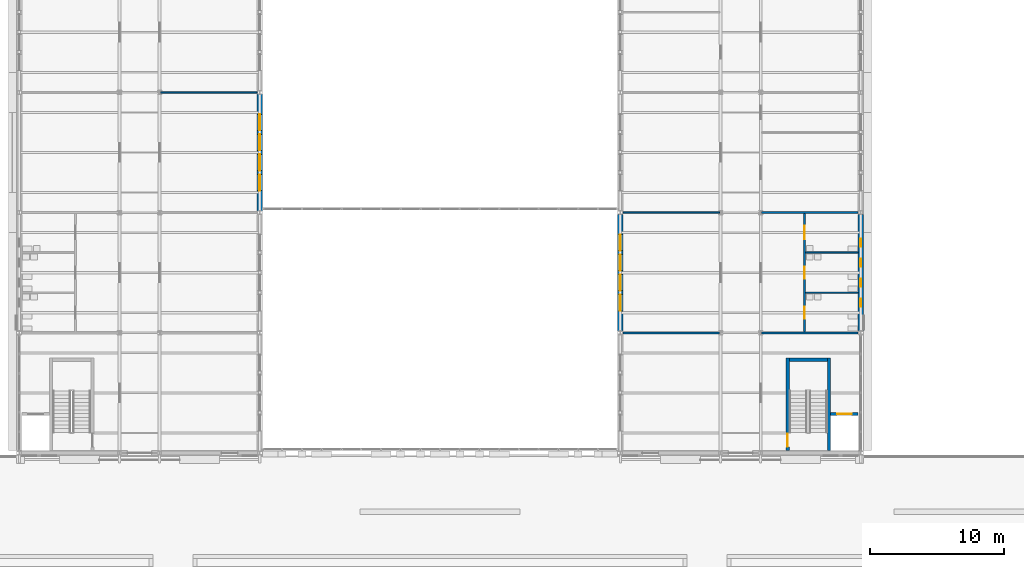
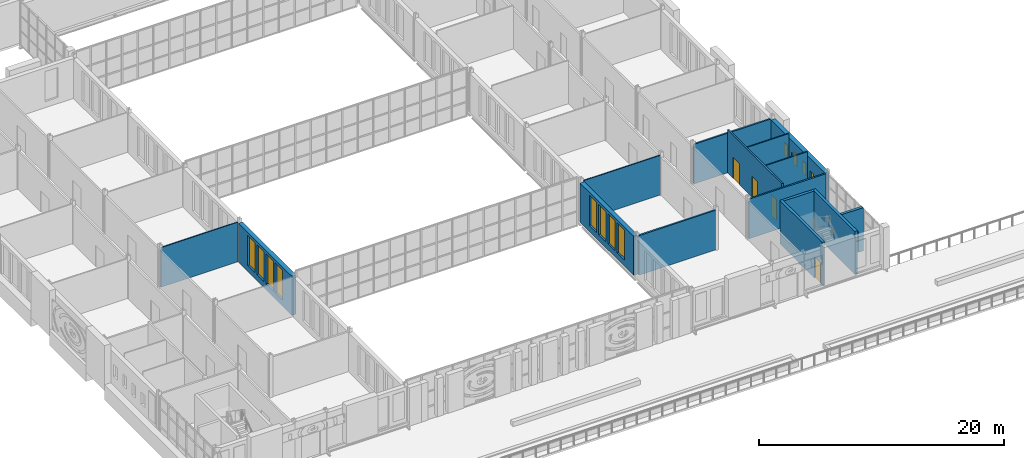
# One storey, part 75 of 134: 15 walls, 12 windows, 5 doors, 17 openings.
"""IFC4 building model written with IfcOpenShell, lengths in metres."""

from ifc_helpers import new_model, si_unit, direction, frame, frame_2d, origin, place, context, subcontext, project, spatial, rectangle, extrude, material, layer, layer_set, type_object, element, fill, save


model = new_model("IFC4")

# Units and contexts
model_context = context("Model", 3, precision=1e-05, world=origin(), true_north=direction((0.0, 1.0)))
body_context = subcontext(model_context, "Body", "Model", "MODEL_VIEW")
ifc_project = project(units=[si_unit("LENGTHUNIT", "METRE"), si_unit("AREAUNIT", "SQUARE_METRE"), si_unit("VOLUMEUNIT", "CUBIC_METRE"), si_unit("PLANEANGLEUNIT", "RADIAN"), si_unit("MASSUNIT", "GRAM", prefix="KILO")], contexts=[model_context])

# Site, building, storey
site_placement = place(None, origin())
site = spatial("IfcSite", under=ifc_project, at=site_placement, CompositionType="ELEMENT")
building_placement = place(site_placement, origin())
building = spatial("IfcBuilding", under=site, at=building_placement, Name="Golden Quay Civic Hall", CompositionType="ELEMENT")
storey_placement = place(building_placement, frame((0.0, 0.0, 5.39990234375)))
storey = spatial("IfcBuildingStorey", under=building, at=storey_placement, Name="L01", CompositionType="ELEMENT", Elevation=5.39990234375)

# Wall
ifc_material_1 = material(Name="Concrete C40/50", Category="concrete")
ifc_layer_1 = layer(ifc_material_1, 0.25)
ifc_layer_set_1 = layer_set([ifc_layer_1], Name="Concrete core wall 250, Concrete C40/50")
wall_type_1 = type_object("IfcWallType", Name="Concrete core wall 250", PredefinedType="SHEAR", material=ifc_layer_set_1)
wall_1_placement = place(storey_placement, frame((114.625, 0.199951171875, 0.0), z_axis=(0.0, 0.0, 1.0), x_axis=(0.0, 1.0, 0.0)))
element("IfcWall", 1, at=wall_1_placement, inside=storey, type_object=wall_type_1, Name="Core wall EM-S-W1", PredefinedType="SHEAR", context=body_context, shape_type="SweptSolid", body=[
    extrude(rectangle(XDim=6.900146484375, YDim=0.25, at=frame_2d((3.4501953125, 0.0))), origin(), (0.0, 0.0, 1.0), 4.300048828125),
])

# Wall, opening, door
wall_2_placement = place(storey_placement, frame((111.52490234375, 0.199951171875, 0.0), z_axis=(0.0, 0.0, 1.0), x_axis=(0.0, 1.0, 0.0)))
wall_2 = element("IfcWall", 2, at=wall_2_placement, inside=storey, type_object=wall_type_1, Name="Core wall EM-S-W2", PredefinedType="SHEAR", context=body_context, shape_type="SweptSolid", body=[
    extrude(rectangle(XDim=6.900146484375, YDim=0.25, at=frame_2d((3.4501953125, 0.0))), origin(), (0.0, 0.0, 1.0), 4.300048828125),
])
opening_1_placement = place(wall_2_placement, frame((0.25, 0.0, 0.0)))
opening_1 = element("IfcOpeningElement", 3, at=opening_1_placement, cuts=wall_2, Name="Opening L01-D125", PredefinedType="OPENING", context=body_context, shape_type="SweptSolid", body=[
    extrude(rectangle(XDim=1.0, YDim=2.10009765625, at=frame_2d((0.5, 1.050048828125))), frame((0.0, 0.135009765625, 0.0), z_axis=(0.0, -1.0, 0.0), x_axis=(1.0, 0.0, 0.0)), (0.0, 0.0, 1.0), 0.27001953125),
])
ifc_material_2 = material(Name="Steel", Category="steel")
door_type_1 = type_object("IfcDoorType", Name="Steel fire door FD60 1000 x 2100", OperationType="SINGLE_SWING_LEFT", PredefinedType="DOOR", material=ifc_material_2)
door_1_placement = place(opening_1_placement, frame((1.0, 0.0, 0.0), z_axis=(0.0, 0.0, 1.0), x_axis=(-1.0, 0.0, 0.0)))
door_1 = element("IfcDoor", 4, at=door_1_placement, inside=storey, type_object=door_type_1, Name="Door L01-D125", OperationType="SINGLE_SWING_RIGHT", OverallHeight=2.10009765625, OverallWidth=1.0, PredefinedType="DOOR", context=body_context, shape_type="SweptSolid", body=[
    extrude(rectangle(XDim=1.0, YDim=2.10009765625, at=frame_2d((0.5, 1.050048828125))), frame((0.0, 0.025146484375, 0.0), z_axis=(0.0, -1.0, 0.0), x_axis=(1.0, 0.0, 0.0)), (0.0, 0.0, 1.0), 0.050048828125),
])
fill(opening_1, door_1)

# Wall
wall_3_placement = place(storey_placement, frame((111.64990234375, 6.97509765625, 0.0), z_axis=(0.0, 0.0, 1.0), x_axis=(1.0, 0.0, 0.0)))
element("IfcWall", 5, at=wall_3_placement, inside=storey, type_object=wall_type_1, Name="Core wall EM-S-W3", PredefinedType="SHEAR", context=body_context, shape_type="SweptSolid", body=[
    extrude(rectangle(XDim=2.85009765625, YDim=0.25, at=frame_2d((1.425048828125, 0.0))), origin(), (0.0, 0.0, 1.0), 4.300048828125),
])

# Wall, opening, door
wall_4_placement = place(storey_placement, frame((114.75, 2.925048828125, 0.0), z_axis=(0.0, 0.0, 1.0), x_axis=(1.0, 0.0, 0.0)))
wall_4 = element("IfcWall", 6, at=wall_4_placement, inside=storey, type_object=wall_type_1, Name="Core wall EM-S-W4", PredefinedType="SHEAR", context=body_context, shape_type="SweptSolid", body=[
    extrude(rectangle(XDim=2.050048828125, YDim=0.25, at=frame_2d((1.02490234375, 0.0))), origin(), (0.0, 0.0, 1.0), 4.300048828125),
])
opening_2_placement = place(wall_4_placement, frame((0.47509765625, 0.0, 0.0)))
opening_2 = element("IfcOpeningElement", 7, at=opening_2_placement, cuts=wall_4, Name="Opening L01-D129", PredefinedType="OPENING", context=body_context, shape_type="SweptSolid", body=[
    extrude(rectangle(XDim=1.10009765625, YDim=2.10009765625, at=frame_2d((0.550048828125, 1.050048828125))), frame((0.0, 0.135009765625, 0.0), z_axis=(0.0, -1.0, 0.0), x_axis=(1.0, 0.0, 0.0)), (0.0, 0.0, 1.0), 0.27001953125),
])
ifc_material_3 = material(Name="Steel", Category="steel")
door_type_2 = type_object("IfcDoorType", Name="Lift landing door 1100 x 2100", OperationType="SLIDING_TO_LEFT", PredefinedType="DOOR", material=ifc_material_3)
door_2_placement = place(opening_2_placement, origin())
door_2 = element("IfcDoor", 8, at=door_2_placement, inside=storey, type_object=door_type_2, Name="Lift landing door L01-D129 EM-S", OperationType="SLIDING_TO_LEFT", OverallHeight=2.10009765625, OverallWidth=1.10009765625, PredefinedType="DOOR", context=body_context, shape_type="SweptSolid", body=[
    extrude(rectangle(XDim=1.10009765625, YDim=2.10009765625, at=frame_2d((0.550048828125, 1.050048828125))), frame((0.0, 0.02490234375, 0.0), z_axis=(0.0, -1.0, 0.0), x_axis=(1.0, 0.0, 0.0)), (0.0, 0.0, 1.0), 0.050048828125),
])
fill(opening_2, door_2)

# Walls
ifc_material_4 = material(Name="Plasterboard on steel studs", Category="steel")
ifc_layer_2 = layer(ifc_material_4, 0.10009765625)
ifc_layer_set_2 = layer_set([ifc_layer_2], Name="Partition 100 stud")
wall_type_2 = type_object("IfcWallType", Name="Partition 100 stud", PredefinedType="PARTITIONING", material=ifc_layer_set_2)
for number, where, z_axis, x_axis, name in (
    (9, (64.574951171875, 27.0, 0.0), (0.0, 0.0, 1.0), (1.0, 0.0, 0.0), "Partition L01-006"),
    (10, (99.199951171875, 18.0, 0.0), (0.0, 0.0, 1.0), (1.0, 0.0, 0.0), "Partition L01-007"),
):
    element("IfcWall", number, at=place(storey_placement, frame(where, z_axis=z_axis, x_axis=x_axis)), inside=storey, type_object=wall_type_2, Name=name, PredefinedType="PARTITIONING", context=body_context, shape_type="SweptSolid", body=[
        extrude(rectangle(XDim=7.22509765625, YDim=0.10009765625, at=frame_2d((3.612548828125, 0.0))), origin(), (0.0, 0.0, 1.0), 3.9501953125),
    ])
for number, where, z_axis, x_axis, name in (
    (11, (112.875, 12.0, 0.0), (0.0, 0.0, 1.0), (1.0, 0.0, 0.0), "Partition L01-017"),
    (12, (112.875, 15.0, 0.0), (0.0, 0.0, 1.0), (1.0, 0.0, 0.0), "Partition L01-018"),
):
    element("IfcWall", number, at=place(storey_placement, frame(where, z_axis=z_axis, x_axis=x_axis)), inside=storey, type_object=wall_type_2, Name=name, PredefinedType="PARTITIONING", context=body_context, shape_type="SweptSolid", body=[
        extrude(rectangle(XDim=3.925048828125, YDim=0.10009765625, at=frame_2d((1.96240234375, 0.0))), origin(), (0.0, 0.0, 1.0), 4.300048828125),
    ])
ifc_material_5 = material(Name="Plasterboard on steel studs", Category="steel")
ifc_layer_3 = layer(ifc_material_5, 0.14990234375)
ifc_layer_set_3 = layer_set([ifc_layer_3], Name="Partition 150 stud fire EI 60")
wall_type_3 = type_object("IfcWallType", Name="Partition 150 stud fire EI 60", PredefinedType="PARTITIONING", material=ifc_layer_set_3)
for number, where, z_axis, x_axis, name in (
    (13, (109.574951171875, 18.0, 0.0), (0.0, 0.0, 1.0), (1.0, 0.0, 0.0), "Partition L01-000"),
    (14, (99.199951171875, 9.0, 0.0), (0.0, 0.0, 1.0), (1.0, 0.0, 0.0), "Partition L01-006"),
    (15, (109.574951171875, 9.0, 0.0), (0.0, 0.0, 1.0), (1.0, 0.0, 0.0), "Partition L01-013"),
):
    element("IfcWall", number, at=place(storey_placement, frame(where, z_axis=z_axis, x_axis=x_axis)), inside=storey, type_object=wall_type_3, Name=name, PredefinedType="PARTITIONING", context=body_context, shape_type="SweptSolid", body=[
        extrude(rectangle(XDim=7.22509765625, YDim=0.14990234375, at=frame_2d((3.612548828125, 0.0))), origin(), (0.0, 0.0, 1.0), 3.9501953125),
    ])

# Wall, openings, doors
wall_5_placement = place(storey_placement, frame((112.800048828125, 9.074951171875, 0.0), z_axis=(0.0, 0.0, 1.0), x_axis=(0.0, 1.0, 0.0)))
wall_5 = element("IfcWall", 16, at=wall_5_placement, inside=storey, type_object=wall_type_3, Name="Partition L01-016", PredefinedType="PARTITIONING", context=body_context, shape_type="SweptSolid", body=[
    extrude(rectangle(XDim=8.85009765625, YDim=0.14990234375, at=frame_2d((4.425048828125, 0.0))), origin(), (0.0, 0.0, 1.0), 4.300048828125),
])
opening_3_placement = place(wall_5_placement, frame((0.97509765625, 0.0, 0.0)))
opening_3 = element("IfcOpeningElement", 17, at=opening_3_placement, cuts=wall_5, Name="Opening L01-D122", PredefinedType="OPENING", context=body_context, shape_type="SweptSolid", body=[
    extrude(rectangle(XDim=0.89990234375, YDim=2.10009765625, at=frame_2d((0.449951171875, 1.050048828125))), frame((0.0, 0.0849609375, 0.0), z_axis=(0.0, -1.0, 0.0), x_axis=(1.0, 0.0, 0.0)), (0.0, 0.0, 1.0), 0.169921875),
])
opening_4_placement = place(wall_5_placement, frame((3.97509765625, 0.0, 0.0)))
opening_4 = element("IfcOpeningElement", 18, at=opening_4_placement, cuts=wall_5, Name="Opening L01-D123", PredefinedType="OPENING", context=body_context, shape_type="SweptSolid", body=[
    extrude(rectangle(XDim=0.89990234375, YDim=2.10009765625, at=frame_2d((0.449951171875, 1.050048828125))), frame((0.0, 0.0849609375, 0.0), z_axis=(0.0, -1.0, 0.0), x_axis=(1.0, 0.0, 0.0)), (0.0, 0.0, 1.0), 0.169921875),
])
opening_5_placement = place(wall_5_placement, frame((6.925048828125, 0.0, 0.0)))
opening_5 = element("IfcOpeningElement", 19, at=opening_5_placement, cuts=wall_5, Name="Opening L01-D124", PredefinedType="OPENING", context=body_context, shape_type="SweptSolid", body=[
    extrude(rectangle(XDim=1.0, YDim=2.10009765625, at=frame_2d((0.5, 1.050048828125))), frame((0.0, 0.0849609375, 0.0), z_axis=(0.0, -1.0, 0.0), x_axis=(1.0, 0.0, 0.0)), (0.0, 0.0, 1.0), 0.169921875),
])
ifc_material_6 = material(Name="Timber", Category="wood")
door_type_3 = type_object("IfcDoorType", Name="Timber door 1000 x 2100", OperationType="SINGLE_SWING_LEFT", PredefinedType="DOOR", material=ifc_material_6)
door_3_placement = place(opening_5_placement, frame((1.0, 0.0, 0.0), z_axis=(0.0, 0.0, 1.0), x_axis=(-1.0, 0.0, 0.0)))
door_3 = element("IfcDoor", 20, at=door_3_placement, inside=storey, type_object=door_type_3, Name="Door L01-D124", OperationType="SINGLE_SWING_RIGHT", OverallHeight=2.10009765625, OverallWidth=1.0, PredefinedType="DOOR", context=body_context, shape_type="SweptSolid", body=[
    extrude(rectangle(XDim=1.0, YDim=2.10009765625, at=frame_2d((0.5, 1.050048828125))), frame((0.0, 0.025146484375, 0.0), z_axis=(0.0, -1.0, 0.0), x_axis=(1.0, 0.0, 0.0)), (0.0, 0.0, 1.0), 0.050048828125),
])
fill(opening_5, door_3)
ifc_material_7 = material(Name="Timber", Category="wood")
door_type_4 = type_object("IfcDoorType", Name="Timber door 900 x 2100", OperationType="SINGLE_SWING_LEFT", PredefinedType="DOOR", material=ifc_material_7)
door_4_placement = place(opening_3_placement, frame((0.89990234375, 0.0, 0.0), z_axis=(0.0, 0.0, 1.0), x_axis=(-1.0, 0.0, 0.0)))
door_4 = element("IfcDoor", 21, at=door_4_placement, inside=storey, type_object=door_type_4, Name="Door L01-D122", OperationType="SINGLE_SWING_RIGHT", OverallHeight=2.10009765625, OverallWidth=0.89990234375, PredefinedType="DOOR", context=body_context, shape_type="SweptSolid", body=[
    extrude(rectangle(XDim=0.89990234375, YDim=2.10009765625, at=frame_2d((0.449951171875, 1.050048828125))), frame((0.0, 0.025146484375, 0.0), z_axis=(0.0, -1.0, 0.0), x_axis=(1.0, 0.0, 0.0)), (0.0, 0.0, 1.0), 0.050048828125),
])
fill(opening_3, door_4)
door_5_placement = place(opening_4_placement, frame((0.89990234375, 0.0, 0.0), z_axis=(0.0, 0.0, 1.0), x_axis=(-1.0, 0.0, 0.0)))
door_5 = element("IfcDoor", 22, at=door_5_placement, inside=storey, type_object=door_type_4, Name="Door L01-D123", OperationType="SINGLE_SWING_RIGHT", OverallHeight=2.10009765625, OverallWidth=0.89990234375, PredefinedType="DOOR", context=body_context, shape_type="SweptSolid", body=[
    extrude(rectangle(XDim=0.89990234375, YDim=2.10009765625, at=frame_2d((0.449951171875, 1.050048828125))), frame((0.0, 0.025146484375, 0.0), z_axis=(0.0, -1.0, 0.0), x_axis=(1.0, 0.0, 0.0)), (0.0, 0.0, 1.0), 0.050048828125),
])
fill(opening_4, door_5)

# Wall, openings, windows
ifc_material_8 = material(Name="Clay block, rendered, cream")
ifc_layer_4 = layer(ifc_material_8, 0.39990234375)
ifc_layer_set_4 = layer_set([ifc_layer_4], Name="Rendered block external wall 400")
wall_type_4 = type_object("IfcWallType", Name="Rendered block external wall 400", PredefinedType="STANDARD", material=ifc_layer_set_4)
wall_6_placement = place(storey_placement, frame((72.0, 26.864990234375, 0.0), z_axis=(0.0, 0.0, 1.0), x_axis=(0.0, -1.0, 0.0)))
wall_6 = element("IfcWall", 23, at=wall_6_placement, inside=storey, type_object=wall_type_4, Name="Rendered block external wall 400 L01 29", PredefinedType="STANDARD", context=body_context, shape_type="SweptSolid", body=[
    extrude(rectangle(XDim=8.72998046875, YDim=0.39990234375, at=frame_2d((4.364990234375, 0.0))), origin(), (0.0, 0.0, 1.0), 3.900146484375),
])
opening_6_placement = place(wall_6_placement, frame((6.014892578125, 0.0, 0.60009765625)))
opening_6 = element("IfcOpeningElement", 24, at=opening_6_placement, cuts=wall_6, Name="Opening WN5", PredefinedType="OPENING", context=body_context, shape_type="SweptSolid", body=[
    extrude(rectangle(XDim=1.199951171875, YDim=3.0, at=frame_2d((0.60009765625, 1.5))), frame((0.0, 0.2099609375, 0.0), z_axis=(0.0, -1.0, 0.0), x_axis=(1.0, 0.0, 0.0)), (0.0, 0.0, 1.0), 0.419921875),
])
opening_7_placement = place(wall_6_placement, frame((4.514892578125, 0.0, 0.60009765625)))
opening_7 = element("IfcOpeningElement", 25, at=opening_7_placement, cuts=wall_6, Name="Opening WN5", PredefinedType="OPENING", context=body_context, shape_type="SweptSolid", body=[
    extrude(rectangle(XDim=1.199951171875, YDim=3.0, at=frame_2d((0.60009765625, 1.5))), frame((0.0, 0.2099609375, 0.0), z_axis=(0.0, -1.0, 0.0), x_axis=(1.0, 0.0, 0.0)), (0.0, 0.0, 1.0), 0.419921875),
])
opening_8_placement = place(wall_6_placement, frame((3.014892578125, 0.0, 0.60009765625)))
opening_8 = element("IfcOpeningElement", 26, at=opening_8_placement, cuts=wall_6, Name="Opening WN5", PredefinedType="OPENING", context=body_context, shape_type="SweptSolid", body=[
    extrude(rectangle(XDim=1.199951171875, YDim=3.0, at=frame_2d((0.60009765625, 1.5))), frame((0.0, 0.2099609375, 0.0), z_axis=(0.0, -1.0, 0.0), x_axis=(1.0, 0.0, 0.0)), (0.0, 0.0, 1.0), 0.419921875),
])
opening_9_placement = place(wall_6_placement, frame((1.514892578125, 0.0, 0.60009765625)))
opening_9 = element("IfcOpeningElement", 27, at=opening_9_placement, cuts=wall_6, Name="Opening WN5", PredefinedType="OPENING", context=body_context, shape_type="SweptSolid", body=[
    extrude(rectangle(XDim=1.199951171875, YDim=3.0, at=frame_2d((0.60009765625, 1.5))), frame((0.0, 0.2099609375, 0.0), z_axis=(0.0, -1.0, 0.0), x_axis=(1.0, 0.0, 0.0)), (0.0, 0.0, 1.0), 0.419921875),
])
ifc_material_9 = material(Name="Aluminium frame, double glazed", Category="aluminium")
window_type_1 = type_object("IfcWindowType", Name="Golden grid window 1200 x 3000", PartitioningType="SINGLE_PANEL", PredefinedType="WINDOW", material=ifc_material_9)
window_1_placement = place(opening_6_placement, origin())
window_1 = element("IfcWindow", 28, at=window_1_placement, inside=storey, type_object=window_type_1, Name="Golden grid window 1200 x 3000 L01 53", OverallHeight=3.0, OverallWidth=1.199951171875, PartitioningType="SINGLE_PANEL", PredefinedType="WINDOW", context=body_context, shape_type="SweptSolid", body=[
    extrude(rectangle(XDim=1.199951171875, YDim=3.0, at=frame_2d((0.60009765625, 1.5))), frame((0.0, 0.030029296875, 0.0), z_axis=(0.0, -1.0, 0.0), x_axis=(1.0, 0.0, 0.0)), (0.0, 0.0, 1.0), 0.06005859375),
])
fill(opening_6, window_1)
window_2_placement = place(opening_7_placement, origin())
window_2 = element("IfcWindow", 29, at=window_2_placement, inside=storey, type_object=window_type_1, Name="Golden grid window 1200 x 3000 L01 54", OverallHeight=3.0, OverallWidth=1.199951171875, PartitioningType="SINGLE_PANEL", PredefinedType="WINDOW", context=body_context, shape_type="SweptSolid", body=[
    extrude(rectangle(XDim=1.199951171875, YDim=3.0, at=frame_2d((0.60009765625, 1.5))), frame((0.0, 0.030029296875, 0.0), z_axis=(0.0, -1.0, 0.0), x_axis=(1.0, 0.0, 0.0)), (0.0, 0.0, 1.0), 0.06005859375),
])
fill(opening_7, window_2)
window_3_placement = place(opening_8_placement, origin())
window_3 = element("IfcWindow", 30, at=window_3_placement, inside=storey, type_object=window_type_1, Name="Golden grid window 1200 x 3000 L01 55", OverallHeight=3.0, OverallWidth=1.199951171875, PartitioningType="SINGLE_PANEL", PredefinedType="WINDOW", context=body_context, shape_type="SweptSolid", body=[
    extrude(rectangle(XDim=1.199951171875, YDim=3.0, at=frame_2d((0.60009765625, 1.5))), frame((0.0, 0.030029296875, 0.0), z_axis=(0.0, -1.0, 0.0), x_axis=(1.0, 0.0, 0.0)), (0.0, 0.0, 1.0), 0.06005859375),
])
fill(opening_8, window_3)
window_4_placement = place(opening_9_placement, origin())
window_4 = element("IfcWindow", 31, at=window_4_placement, inside=storey, type_object=window_type_1, Name="Golden grid window 1200 x 3000 L01 56", OverallHeight=3.0, OverallWidth=1.199951171875, PartitioningType="SINGLE_PANEL", PredefinedType="WINDOW", context=body_context, shape_type="SweptSolid", body=[
    extrude(rectangle(XDim=1.199951171875, YDim=3.0, at=frame_2d((0.60009765625, 1.5))), frame((0.0, 0.030029296875, 0.0), z_axis=(0.0, -1.0, 0.0), x_axis=(1.0, 0.0, 0.0)), (0.0, 0.0, 1.0), 0.06005859375),
])
fill(opening_9, window_4)

wall_7_placement = place(storey_placement, frame((99.0, 9.135009765625, 0.0), z_axis=(0.0, 0.0, 1.0), x_axis=(0.0, 1.0, 0.0)))
wall_7 = element("IfcWall", 32, at=wall_7_placement, inside=storey, type_object=wall_type_4, Name="Rendered block external wall 400 L01 36", PredefinedType="STANDARD", context=body_context, shape_type="SweptSolid", body=[
    extrude(rectangle(XDim=8.72998046875, YDim=0.39990234375, at=frame_2d((4.364990234375, 0.0))), origin(), (0.0, 0.0, 1.0), 3.900146484375),
])
opening_10_placement = place(wall_7_placement, frame((1.514892578125, 0.0, 0.60009765625)))
opening_10 = element("IfcOpeningElement", 33, at=opening_10_placement, cuts=wall_7, Name="Opening WN5", PredefinedType="OPENING", context=body_context, shape_type="SweptSolid", body=[
    extrude(rectangle(XDim=1.199951171875, YDim=3.0, at=frame_2d((0.60009765625, 1.5))), frame((0.0, 0.2099609375, 0.0), z_axis=(0.0, -1.0, 0.0), x_axis=(1.0, 0.0, 0.0)), (0.0, 0.0, 1.0), 0.419921875),
])
opening_11_placement = place(wall_7_placement, frame((3.014892578125, 0.0, 0.60009765625)))
opening_11 = element("IfcOpeningElement", 34, at=opening_11_placement, cuts=wall_7, Name="Opening WN5", PredefinedType="OPENING", context=body_context, shape_type="SweptSolid", body=[
    extrude(rectangle(XDim=1.199951171875, YDim=3.0, at=frame_2d((0.60009765625, 1.5))), frame((0.0, 0.2099609375, 0.0), z_axis=(0.0, -1.0, 0.0), x_axis=(1.0, 0.0, 0.0)), (0.0, 0.0, 1.0), 0.419921875),
])
opening_12_placement = place(wall_7_placement, frame((4.514892578125, 0.0, 0.60009765625)))
opening_12 = element("IfcOpeningElement", 35, at=opening_12_placement, cuts=wall_7, Name="Opening WN5", PredefinedType="OPENING", context=body_context, shape_type="SweptSolid", body=[
    extrude(rectangle(XDim=1.199951171875, YDim=3.0, at=frame_2d((0.60009765625, 1.5))), frame((0.0, 0.2099609375, 0.0), z_axis=(0.0, -1.0, 0.0), x_axis=(1.0, 0.0, 0.0)), (0.0, 0.0, 1.0), 0.419921875),
])
opening_13_placement = place(wall_7_placement, frame((6.014892578125, 0.0, 0.60009765625)))
opening_13 = element("IfcOpeningElement", 36, at=opening_13_placement, cuts=wall_7, Name="Opening WN5", PredefinedType="OPENING", context=body_context, shape_type="SweptSolid", body=[
    extrude(rectangle(XDim=1.199951171875, YDim=3.0, at=frame_2d((0.60009765625, 1.5))), frame((0.0, 0.2099609375, 0.0), z_axis=(0.0, -1.0, 0.0), x_axis=(1.0, 0.0, 0.0)), (0.0, 0.0, 1.0), 0.419921875),
])
window_5_placement = place(opening_10_placement, origin())
window_5 = element("IfcWindow", 37, at=window_5_placement, inside=storey, type_object=window_type_1, Name="Golden grid window 1200 x 3000 L01 74", OverallHeight=3.0, OverallWidth=1.199951171875, PartitioningType="SINGLE_PANEL", PredefinedType="WINDOW", context=body_context, shape_type="SweptSolid", body=[
    extrude(rectangle(XDim=1.199951171875, YDim=3.0, at=frame_2d((0.60009765625, 1.5))), frame((0.0, 0.030029296875, 0.0), z_axis=(0.0, -1.0, 0.0), x_axis=(1.0, 0.0, 0.0)), (0.0, 0.0, 1.0), 0.06005859375),
])
fill(opening_10, window_5)
window_6_placement = place(opening_11_placement, origin())
window_6 = element("IfcWindow", 38, at=window_6_placement, inside=storey, type_object=window_type_1, Name="Golden grid window 1200 x 3000 L01 75", OverallHeight=3.0, OverallWidth=1.199951171875, PartitioningType="SINGLE_PANEL", PredefinedType="WINDOW", context=body_context, shape_type="SweptSolid", body=[
    extrude(rectangle(XDim=1.199951171875, YDim=3.0, at=frame_2d((0.60009765625, 1.5))), frame((0.0, 0.030029296875, 0.0), z_axis=(0.0, -1.0, 0.0), x_axis=(1.0, 0.0, 0.0)), (0.0, 0.0, 1.0), 0.06005859375),
])
fill(opening_11, window_6)
window_7_placement = place(opening_12_placement, origin())
window_7 = element("IfcWindow", 39, at=window_7_placement, inside=storey, type_object=window_type_1, Name="Golden grid window 1200 x 3000 L01 76", OverallHeight=3.0, OverallWidth=1.199951171875, PartitioningType="SINGLE_PANEL", PredefinedType="WINDOW", context=body_context, shape_type="SweptSolid", body=[
    extrude(rectangle(XDim=1.199951171875, YDim=3.0, at=frame_2d((0.60009765625, 1.5))), frame((0.0, 0.030029296875, 0.0), z_axis=(0.0, -1.0, 0.0), x_axis=(1.0, 0.0, 0.0)), (0.0, 0.0, 1.0), 0.06005859375),
])
fill(opening_12, window_7)
window_8_placement = place(opening_13_placement, origin())
window_8 = element("IfcWindow", 40, at=window_8_placement, inside=storey, type_object=window_type_1, Name="Golden grid window 1200 x 3000 L01 77", OverallHeight=3.0, OverallWidth=1.199951171875, PartitioningType="SINGLE_PANEL", PredefinedType="WINDOW", context=body_context, shape_type="SweptSolid", body=[
    extrude(rectangle(XDim=1.199951171875, YDim=3.0, at=frame_2d((0.60009765625, 1.5))), frame((0.0, 0.030029296875, 0.0), z_axis=(0.0, -1.0, 0.0), x_axis=(1.0, 0.0, 0.0)), (0.0, 0.0, 1.0), 0.06005859375),
])
fill(opening_13, window_8)

wall_8_placement = place(storey_placement, frame((117.0, 17.864990234375, 0.0), z_axis=(0.0, 0.0, 1.0), x_axis=(0.0, -1.0, 0.0)))
wall_8 = element("IfcWall", 41, at=wall_8_placement, inside=storey, type_object=wall_type_4, Name="Rendered block external wall 400 L01 43", PredefinedType="STANDARD", context=body_context, shape_type="SweptSolid", body=[
    extrude(rectangle(XDim=8.72998046875, YDim=0.39990234375, at=frame_2d((4.364990234375, 0.0))), origin(), (0.0, 0.0, 1.0), 3.900146484375),
])
opening_14_placement = place(wall_8_placement, frame((6.31494140625, 0.0, 1.5)))
opening_14 = element("IfcOpeningElement", 42, at=opening_14_placement, cuts=wall_8, Name="Opening WN1", PredefinedType="OPENING", context=body_context, shape_type="SweptSolid", body=[
    extrude(rectangle(XDim=0.60009765625, YDim=1.199951171875, at=frame_2d((0.300048828125, 0.60009765625))), frame((0.0, 0.2099609375, 0.0), z_axis=(0.0, -1.0, 0.0), x_axis=(1.0, 0.0, 0.0)), (0.0, 0.0, 1.0), 0.419921875),
])
opening_15_placement = place(wall_8_placement, frame((4.81494140625, 0.0, 1.5)))
opening_15 = element("IfcOpeningElement", 43, at=opening_15_placement, cuts=wall_8, Name="Opening WN1", PredefinedType="OPENING", context=body_context, shape_type="SweptSolid", body=[
    extrude(rectangle(XDim=0.60009765625, YDim=1.199951171875, at=frame_2d((0.300048828125, 0.60009765625))), frame((0.0, 0.2099609375, 0.0), z_axis=(0.0, -1.0, 0.0), x_axis=(1.0, 0.0, 0.0)), (0.0, 0.0, 1.0), 0.419921875),
])
opening_16_placement = place(wall_8_placement, frame((3.31494140625, 0.0, 1.5)))
opening_16 = element("IfcOpeningElement", 44, at=opening_16_placement, cuts=wall_8, Name="Opening WN1", PredefinedType="OPENING", context=body_context, shape_type="SweptSolid", body=[
    extrude(rectangle(XDim=0.60009765625, YDim=1.199951171875, at=frame_2d((0.300048828125, 0.60009765625))), frame((0.0, 0.2099609375, 0.0), z_axis=(0.0, -1.0, 0.0), x_axis=(1.0, 0.0, 0.0)), (0.0, 0.0, 1.0), 0.419921875),
])
opening_17_placement = place(wall_8_placement, frame((1.81494140625, 0.0, 1.5)))
opening_17 = element("IfcOpeningElement", 45, at=opening_17_placement, cuts=wall_8, Name="Opening WN1", PredefinedType="OPENING", context=body_context, shape_type="SweptSolid", body=[
    extrude(rectangle(XDim=0.60009765625, YDim=1.199951171875, at=frame_2d((0.300048828125, 0.60009765625))), frame((0.0, 0.2099609375, 0.0), z_axis=(0.0, -1.0, 0.0), x_axis=(1.0, 0.0, 0.0)), (0.0, 0.0, 1.0), 0.419921875),
])
ifc_material_10 = material(Name="Aluminium frame, double glazed", Category="aluminium")
window_type_2 = type_object("IfcWindowType", Name="WC window 600 x 1200", PartitioningType="SINGLE_PANEL", PredefinedType="WINDOW", material=ifc_material_10)
window_9_placement = place(opening_14_placement, origin())
window_9 = element("IfcWindow", 46, at=window_9_placement, inside=storey, type_object=window_type_2, Name="WC window 600 x 1200 L01 12", OverallHeight=1.199951171875, OverallWidth=0.60009765625, PartitioningType="SINGLE_PANEL", PredefinedType="WINDOW", context=body_context, shape_type="SweptSolid", body=[
    extrude(rectangle(XDim=0.60009765625, YDim=1.199951171875, at=frame_2d((0.300048828125, 0.60009765625))), frame((0.0, 0.030029296875, 0.0), z_axis=(0.0, -1.0, 0.0), x_axis=(1.0, 0.0, 0.0)), (0.0, 0.0, 1.0), 0.06005859375),
])
fill(opening_14, window_9)
window_10_placement = place(opening_15_placement, origin())
window_10 = element("IfcWindow", 47, at=window_10_placement, inside=storey, type_object=window_type_2, Name="WC window 600 x 1200 L01 13", OverallHeight=1.199951171875, OverallWidth=0.60009765625, PartitioningType="SINGLE_PANEL", PredefinedType="WINDOW", context=body_context, shape_type="SweptSolid", body=[
    extrude(rectangle(XDim=0.60009765625, YDim=1.199951171875, at=frame_2d((0.300048828125, 0.60009765625))), frame((0.0, 0.030029296875, 0.0), z_axis=(0.0, -1.0, 0.0), x_axis=(1.0, 0.0, 0.0)), (0.0, 0.0, 1.0), 0.06005859375),
])
fill(opening_15, window_10)
window_11_placement = place(opening_16_placement, origin())
window_11 = element("IfcWindow", 48, at=window_11_placement, inside=storey, type_object=window_type_2, Name="WC window 600 x 1200 L01 14", OverallHeight=1.199951171875, OverallWidth=0.60009765625, PartitioningType="SINGLE_PANEL", PredefinedType="WINDOW", context=body_context, shape_type="SweptSolid", body=[
    extrude(rectangle(XDim=0.60009765625, YDim=1.199951171875, at=frame_2d((0.300048828125, 0.60009765625))), frame((0.0, 0.030029296875, 0.0), z_axis=(0.0, -1.0, 0.0), x_axis=(1.0, 0.0, 0.0)), (0.0, 0.0, 1.0), 0.06005859375),
])
fill(opening_16, window_11)
window_12_placement = place(opening_17_placement, origin())
window_12 = element("IfcWindow", 49, at=window_12_placement, inside=storey, type_object=window_type_2, Name="WC window 600 x 1200 L01 15", OverallHeight=1.199951171875, OverallWidth=0.60009765625, PartitioningType="SINGLE_PANEL", PredefinedType="WINDOW", context=body_context, shape_type="SweptSolid", body=[
    extrude(rectangle(XDim=0.60009765625, YDim=1.199951171875, at=frame_2d((0.300048828125, 0.60009765625))), frame((0.0, 0.030029296875, 0.0), z_axis=(0.0, -1.0, 0.0), x_axis=(1.0, 0.0, 0.0)), (0.0, 0.0, 1.0), 0.06005859375),
])
fill(opening_17, window_12)

save(model, "model.ifc")
